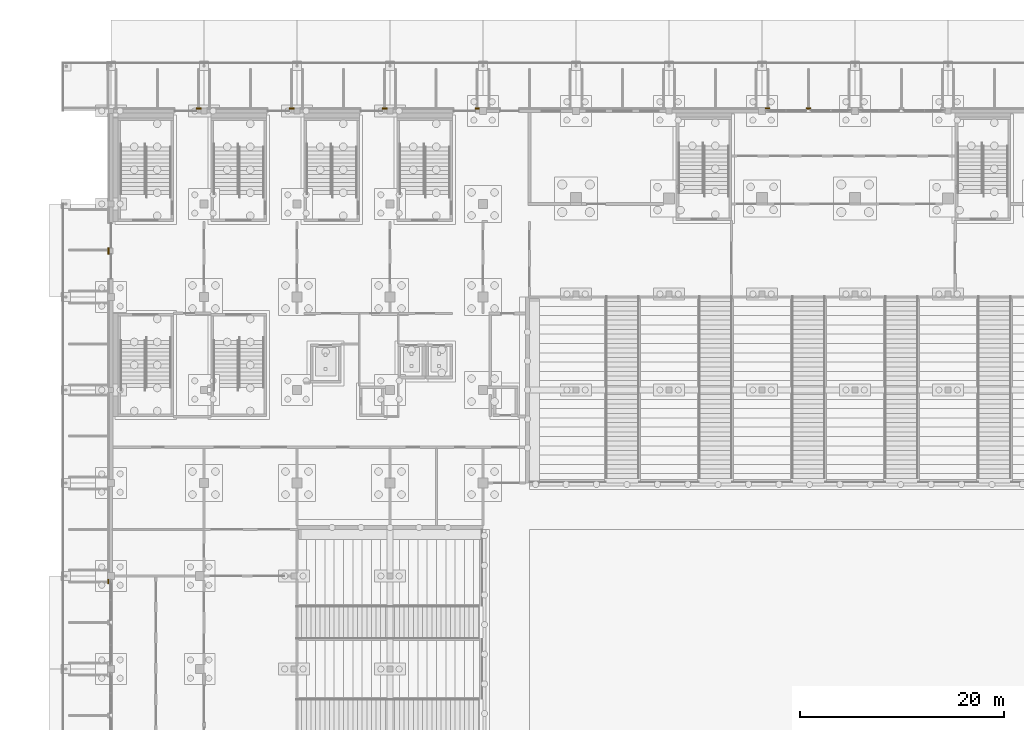
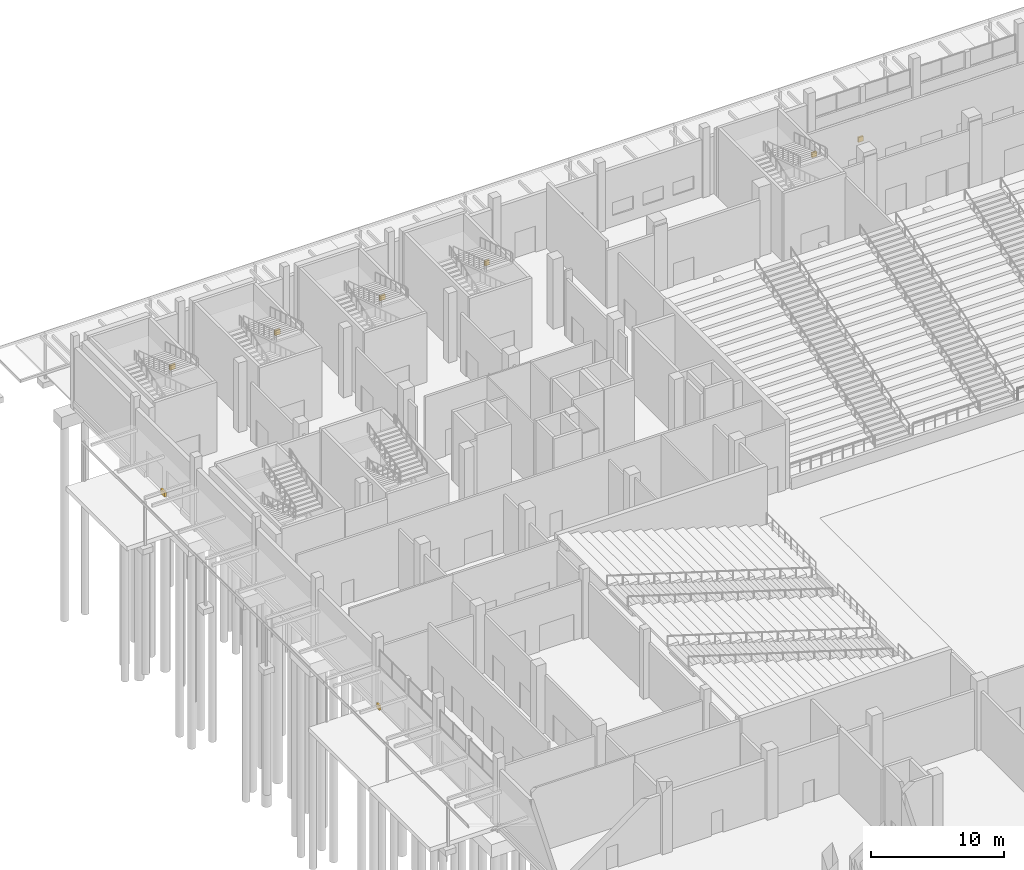
# One storey, part 124 of 129: 8 coverings.
"""IFC4 building model written with IfcOpenShell, lengths in metres."""

from ifc_helpers import new_model, si_unit, direction, frame, origin, origin_2d, place, context, subcontext, project, spatial, rectangle, extrude, material, layer, layer_set, type_object, element, save


model = new_model("IFC4")

# Units and contexts
model_context = context("Model", 3, precision=1e-05, world=origin(), true_north=direction((0.0, 1.0)))
body_context = subcontext(model_context, "Body", "Model", "MODEL_VIEW")
ifc_project = project(units=[si_unit("LENGTHUNIT", "METRE"), si_unit("AREAUNIT", "SQUARE_METRE"), si_unit("VOLUMEUNIT", "CUBIC_METRE"), si_unit("PLANEANGLEUNIT", "RADIAN"), si_unit("MASSUNIT", "GRAM", prefix="KILO")], contexts=[model_context])

# Site, building, storey
site_placement = place(None, origin())
site = spatial("IfcSite", under=ifc_project, at=site_placement, CompositionType="ELEMENT")
building_placement = place(site_placement, origin())
building = spatial("IfcBuilding", under=site, at=building_placement, Name="Shirokan Park Arena", CompositionType="ELEMENT")
storey_placement = place(building_placement, origin())
storey = spatial("IfcBuildingStorey", under=building, at=storey_placement, Name="L00", CompositionType="ELEMENT", Elevation=0.0)

# Coverings
ifc_material = material(Name="Natural stone", Category="masonry")
ifc_layer = layer(ifc_material, 0.14990234375)
ifc_layer_set = layer_set([ifc_layer], Name="Natural stone 150 mm")
covering_type = type_object("IfcCoveringType", Name="Stone plinth 150x450", PredefinedType="CLADDING", material=ifc_layer_set)
covering_1_placement = place(storey_placement, frame((68.25, 109.425048828125, 0.0), z_axis=(0.0, 0.0, 1.0), x_axis=(-1.0, 0.0, 0.0)))
element("IfcCovering", 1, at=covering_1_placement, inside=storey, type_object=covering_type, Name="Stone plinth north bay 9", PredefinedType="CLADDING", context=body_context, shape_type="SweptSolid", body=[
    extrude(rectangle(XDim=0.429931640625, YDim=0.14990234375, at=origin_2d()), origin(), (0.0, 0.0, 1.0), 0.449951171875),
])
covering_2_placement = place(storey_placement, frame((64.22998046875, 109.425048828125, 0.0), z_axis=(0.0, 0.0, 1.0), x_axis=(-1.0, 0.0, 0.0)))
element("IfcCovering", 2, at=covering_2_placement, inside=storey, type_object=covering_type, Name="Stone plinth north bay 9", PredefinedType="CLADDING", context=body_context, shape_type="SweptSolid", body=[
    extrude(rectangle(XDim=0.409912109375, YDim=0.14990234375, at=origin_2d()), origin(), (0.0, 0.0, 1.0), 0.449951171875),
])
covering_3_placement = place(storey_placement, frame((35.85009765625, 109.425048828125, 0.0), z_axis=(0.0, 0.0, 1.0), x_axis=(-1.0, 0.0, 0.0)))
element("IfcCovering", 3, at=covering_3_placement, inside=storey, type_object=covering_type, Name="Stone plinth north bay 13", PredefinedType="CLADDING", context=body_context, shape_type="SweptSolid", body=[
    extrude(rectangle(XDim=0.39990234375, YDim=0.14990234375, at=origin_2d()), origin(), (0.0, 0.0, 1.0), 0.449951171875),
])
for number, where, z_axis, x_axis, name in (
    (4, (26.78759765625, 109.425048828125, 0.0), (0.0, 0.0, 1.0), (-1.0, 0.0, 0.0), "Stone plinth north bay 14"),
    (5, (17.6875, 109.425048828125, 0.0), (0.0, 0.0, 1.0), (-1.0, 0.0, 0.0), "Stone plinth north bay 15"),
    (6, (8.58740234375, 109.425048828125, 0.0), (0.0, 0.0, 1.0), (-1.0, 0.0, 0.0), "Stone plinth north bay 16"),
):
    element("IfcCovering", number, at=place(storey_placement, frame(where, z_axis=z_axis, x_axis=x_axis)), inside=storey, type_object=covering_type, Name=name, PredefinedType="CLADDING", context=body_context, shape_type="SweptSolid", body=[
        extrude(rectangle(XDim=0.47509765625, YDim=0.14990234375, at=origin_2d()), origin(), (0.0, 0.0, 1.0), 0.449951171875),
    ])
covering_4_placement = place(storey_placement, frame((-0.22509765625, 95.5, 0.0), z_axis=(0.0, 0.0, 1.0), x_axis=(0.0, -1.0, 0.0)))
element("IfcCovering", 7, at=covering_4_placement, inside=storey, type_object=covering_type, Name="Stone plinth west bay 2", PredefinedType="CLADDING", context=body_context, shape_type="SweptSolid", body=[
    extrude(rectangle(XDim=0.60009765625, YDim=0.14990234375, at=origin_2d()), origin(), (0.0, 0.0, 1.0), 0.449951171875),
])
covering_5_placement = place(storey_placement, frame((-0.22509765625, 63.169921875, 0.0), z_axis=(0.0, 0.0, 1.0), x_axis=(0.0, -1.0, 0.0)))
element("IfcCovering", 8, at=covering_5_placement, inside=storey, type_object=covering_type, Name="Stone plinth west bay 6", PredefinedType="CLADDING", context=body_context, shape_type="SweptSolid", body=[
    extrude(rectangle(XDim=0.409912109375, YDim=0.14990234375, at=origin_2d()), origin(), (0.0, 0.0, 1.0), 0.449951171875),
])

save(model, "model.ifc")
